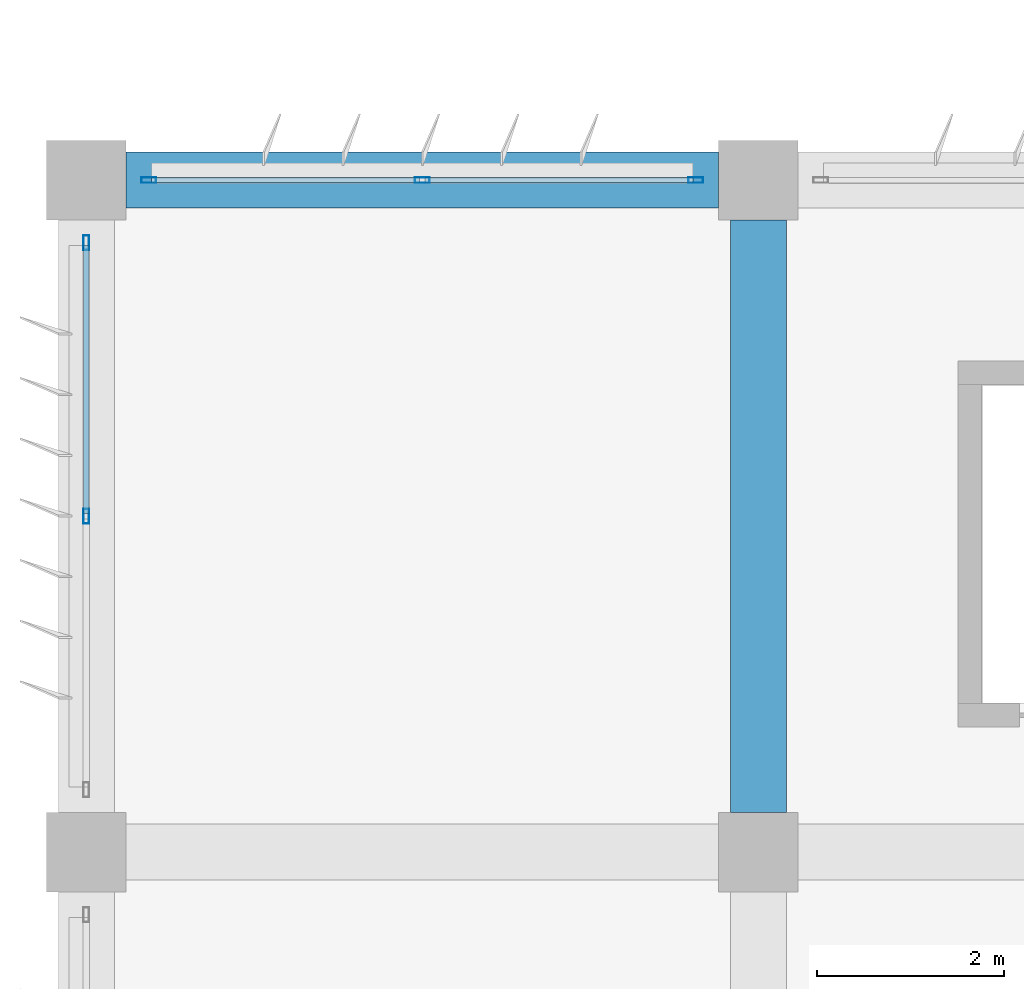
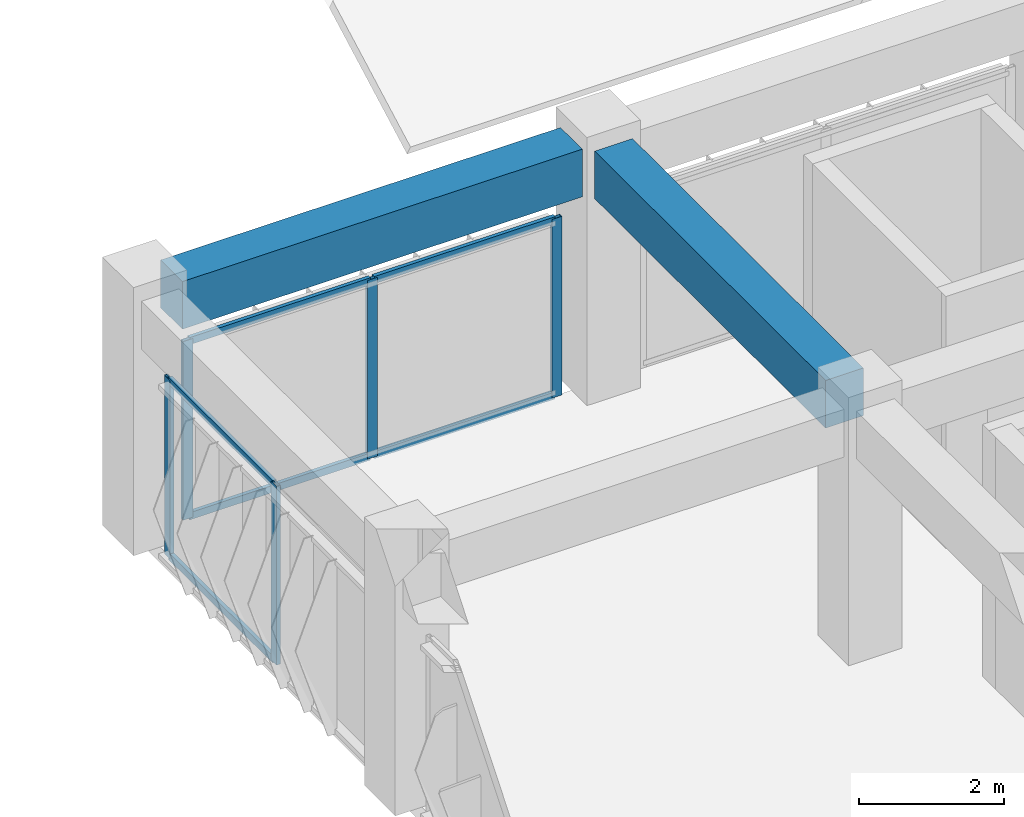
# One storey, part 11 of 56: 11 members, 2 beams, 2 elements without a shape of their own.
"""IFC4 building model written with IfcOpenShell, lengths in metres."""

from ifc_helpers import new_model, si_unit, direction, frame, origin, origin_2d, place, context, subcontext, project, spatial, rectangle, hollow_rectangle, extrude, material, material_profile, profile_set, type_object, element, aggregate, save


model = new_model("IFC4")

# Units and contexts
model_context = context("Model", 3, precision=1e-05, world=origin(), true_north=direction((0.0, 1.0)))
body_context = subcontext(model_context, "Body", "Model", "MODEL_VIEW")
ifc_project = project(units=[si_unit("LENGTHUNIT", "METRE"), si_unit("AREAUNIT", "SQUARE_METRE"), si_unit("VOLUMEUNIT", "CUBIC_METRE"), si_unit("PLANEANGLEUNIT", "RADIAN"), si_unit("MASSUNIT", "GRAM", prefix="KILO")], contexts=[model_context])

# Site, building, storey
site_placement = place(None, origin())
site = spatial("IfcSite", under=ifc_project, at=site_placement, CompositionType="ELEMENT")
building_placement = place(site_placement, origin())
building = spatial("IfcBuilding", under=site, at=building_placement, Name="Kazehaya Institute of Natural Sciences", CompositionType="ELEMENT")
storey_placement = place(building_placement, frame((0.0, 0.0, 24.300048828125)))
storey = spatial("IfcBuildingStorey", under=building, at=storey_placement, Name="L05", CompositionType="ELEMENT", Elevation=24.300048828125)

# Beams
ifc_material_1 = material(Name="Concrete Fc36", Category="concrete")
ifc_material_profile_1 = material_profile(ifc_material_1, rectangle(XDim=0.60009765625, YDim=0.800048828125, at=origin_2d()), Name="RC-600x800")
ifc_profile_set_1 = profile_set([ifc_material_profile_1], Name="Concrete Fc36")
beam_type = type_object("IfcBeamType", Name="BM-G-600x800", PredefinedType="BEAM", material=ifc_profile_set_1)
for number, where, z_axis, x_axis, name in (
    (1, (55.02490234375, 35.60009765625, 3.829833984375), (1.0, 0.0, 0.0), (0.0, 1.0, 0.0), "L05 primary X girder BMX-L05-546-356"),
    (2, (61.800048828125, 28.824951171875, 3.829833984375), (0.0, 1.0, 0.0), (-1.0, 0.0, 0.0), "L05 primary Y girder BMY-L05-618-284"),
):
    element("IfcBeam", number, at=place(storey_placement, frame(where, z_axis=z_axis, x_axis=x_axis)), inside=storey, type_object=beam_type, Name=name, PredefinedType="BEAM", context=body_context, shape_type="SweptSolid", body=[
        extrude(rectangle(XDim=0.60009765625, YDim=0.800048828125, at=origin_2d()), origin(), (0.0, 0.0, 1.0), 6.35009765625),
    ])

# Curtain wall, members
ifc_material_2 = material(Name="Aluminium alloy A6063S-T5", Category="aluminium")
curtain_wall_type_1 = type_object("IfcCurtainWallType", Name="CW-SYS-04", PredefinedType="NOTDEFINED", material=ifc_material_2)
curtain_wall_1_placement = place(storey_placement, origin())
curtain_wall_1 = element("IfcCurtainWall", 3, at=curtain_wall_1_placement, inside=storey, type_object=curtain_wall_type_1, Name="L05 unitised curtain wall CW-L05-103", PredefinedType="NOTDEFINED")
ifc_material_profile_2 = material_profile(ifc_material_2, hollow_rectangle(XDim=0.06005859375, YDim=0.159912109375, WallThickness=0.00390625, at=origin_2d()), Name="ALU-60x160x4")
ifc_profile_set_2 = profile_set([ifc_material_profile_2], Name="Aluminium alloy A6063S-T5")
member_type_1 = type_object("IfcMemberType", Name="CWM-160", PredefinedType="MULLION", material=ifc_profile_set_2)
member_1_placement = place(storey_placement, frame((55.27001953125, 35.60009765625, 0.0), z_axis=(0.0, 0.0, 1.0), x_axis=(0.0, 1.0, 0.0)))
member_1 = element("IfcMember", 4, at=member_1_placement, type_object=member_type_1, Name="CW04 mullion 1", PredefinedType="MULLION", context=body_context, shape_type="SweptSolid", body=[
    extrude(hollow_rectangle(XDim=0.06005859375, YDim=0.159912109375, WallThickness=0.00390625, at=origin_2d()), origin(), (0.0, 0.0, 1.0), 3.0),
])
member_2_placement = place(storey_placement, frame((58.199951171875, 35.60009765625, 0.0), z_axis=(0.0, 0.0, 1.0), x_axis=(0.0, 1.0, 0.0)))
member_2 = element("IfcMember", 5, at=member_2_placement, type_object=member_type_1, Name="CW04 mullion 2", PredefinedType="MULLION", context=body_context, shape_type="SweptSolid", body=[
    extrude(hollow_rectangle(XDim=0.06005859375, YDim=0.159912109375, WallThickness=0.00390625, at=origin_2d()), origin(), (0.0, 0.0, 1.0), 3.0),
])
member_3_placement = place(storey_placement, frame((61.1298828125, 35.60009765625, 0.0), z_axis=(0.0, 0.0, 1.0), x_axis=(0.0, 1.0, 0.0)))
member_3 = element("IfcMember", 6, at=member_3_placement, type_object=member_type_1, Name="CW04 mullion 3", PredefinedType="MULLION", context=body_context, shape_type="SweptSolid", body=[
    extrude(hollow_rectangle(XDim=0.06005859375, YDim=0.159912109375, WallThickness=0.00390625, at=origin_2d()), origin(), (0.0, 0.0, 1.0), 3.0),
])

curtain_wall_type_2 = type_object("IfcCurtainWallType", Name="CW-SYS-10", PredefinedType="NOTDEFINED", material=ifc_material_2)
curtain_wall_2_placement = place(storey_placement, origin())
curtain_wall_2 = element("IfcCurtainWall", 7, at=curtain_wall_2_placement, inside=storey, type_object=curtain_wall_type_2, Name="L05 unitised curtain wall CW-L05-118", PredefinedType="NOTDEFINED")
member_4_placement = place(storey_placement, frame((54.60009765625, 32.0, 0.0), z_axis=(0.0, 0.0, 1.0), x_axis=(-1.0, 0.0, 0.0)))
member_4 = element("IfcMember", 8, at=member_4_placement, type_object=member_type_1, Name="CW10 mullion 2", PredefinedType="MULLION", context=body_context, shape_type="SweptSolid", body=[
    extrude(hollow_rectangle(XDim=0.06005859375, YDim=0.159912109375, WallThickness=0.00390625, at=origin_2d()), origin(), (0.0, 0.0, 1.0), 3.0),
])
member_5_placement = place(storey_placement, frame((54.60009765625, 34.929931640625, 0.0), z_axis=(0.0, 0.0, 1.0), x_axis=(-1.0, 0.0, 0.0)))
member_5 = element("IfcMember", 9, at=member_5_placement, type_object=member_type_1, Name="CW10 mullion 3", PredefinedType="MULLION", context=body_context, shape_type="SweptSolid", body=[
    extrude(hollow_rectangle(XDim=0.06005859375, YDim=0.159912109375, WallThickness=0.00390625, at=origin_2d()), origin(), (0.0, 0.0, 1.0), 3.0),
])

# Member
ifc_material_profile_3 = material_profile(ifc_material_2, hollow_rectangle(XDim=0.06005859375, YDim=0.1201171875, WallThickness=0.00341796875, at=origin_2d()), Name="ALU-60x120x3.5")
ifc_profile_set_3 = profile_set([ifc_material_profile_3], Name="Aluminium alloy A6063S-T5")
member_type_2 = type_object("IfcMemberType", Name="CWT-120", PredefinedType="USERDEFINED", material=ifc_profile_set_3)
member_6_placement = place(storey_placement, frame((55.300048828125, 35.60009765625, 0.030029296875), z_axis=(1.0, 0.0, 0.0), x_axis=(0.0, 1.0, 0.0)))
member_6 = element("IfcMember", 10, at=member_6_placement, type_object=member_type_2, Name="CW04 transom 1.1", ObjectType="TRANSOM", PredefinedType="USERDEFINED", context=body_context, shape_type="SweptSolid", body=[
    extrude(hollow_rectangle(XDim=0.06005859375, YDim=0.1201171875, WallThickness=0.00341796875, at=origin_2d()), origin(), (0.0, 0.0, 1.0), 2.869873046875),
])

member_7_placement = place(storey_placement, frame((55.300048828125, 35.60009765625, 2.969970703125), z_axis=(1.0, 0.0, 0.0), x_axis=(0.0, 1.0, 0.0)))
member_7 = element("IfcMember", 11, at=member_7_placement, type_object=member_type_2, Name="CW04 transom 1.2", ObjectType="TRANSOM", PredefinedType="USERDEFINED", context=body_context, shape_type="SweptSolid", body=[
    extrude(hollow_rectangle(XDim=0.06005859375, YDim=0.1201171875, WallThickness=0.00341796875, at=origin_2d()), origin(), (0.0, 0.0, 1.0), 2.869873046875),
])

member_8_placement = place(storey_placement, frame((58.22998046875, 35.60009765625, 0.030029296875), z_axis=(1.0, 0.0, 0.0), x_axis=(0.0, 1.0, 0.0)))
member_8 = element("IfcMember", 12, at=member_8_placement, type_object=member_type_2, Name="CW04 transom 2.1", ObjectType="TRANSOM", PredefinedType="USERDEFINED", context=body_context, shape_type="SweptSolid", body=[
    extrude(hollow_rectangle(XDim=0.06005859375, YDim=0.1201171875, WallThickness=0.00341796875, at=origin_2d()), origin(), (0.0, 0.0, 1.0), 2.8701171875),
])

member_9_placement = place(storey_placement, frame((58.22998046875, 35.60009765625, 2.969970703125), z_axis=(1.0, 0.0, 0.0), x_axis=(0.0, 1.0, 0.0)))
member_9 = element("IfcMember", 13, at=member_9_placement, type_object=member_type_2, Name="CW04 transom 2.2", ObjectType="TRANSOM", PredefinedType="USERDEFINED", context=body_context, shape_type="SweptSolid", body=[
    extrude(hollow_rectangle(XDim=0.06005859375, YDim=0.1201171875, WallThickness=0.00341796875, at=origin_2d()), origin(), (0.0, 0.0, 1.0), 2.8701171875),
])

aggregate(curtain_wall_1, [member_1, member_2, member_3, member_6, member_7, member_8, member_9])

member_10_placement = place(storey_placement, frame((54.60009765625, 32.030029296875, 0.030029296875), z_axis=(0.0, 1.0, 0.0), x_axis=(-1.0, 0.0, 0.0)))
member_10 = element("IfcMember", 14, at=member_10_placement, type_object=member_type_2, Name="CW10 transom 2.1", ObjectType="TRANSOM", PredefinedType="USERDEFINED", context=body_context, shape_type="SweptSolid", body=[
    extrude(hollow_rectangle(XDim=0.06005859375, YDim=0.1201171875, WallThickness=0.00341796875, at=origin_2d()), origin(), (0.0, 0.0, 1.0), 2.869873046875),
])

member_11_placement = place(storey_placement, frame((54.60009765625, 32.030029296875, 2.969970703125), z_axis=(0.0, 1.0, 0.0), x_axis=(-1.0, 0.0, 0.0)))
member_11 = element("IfcMember", 15, at=member_11_placement, type_object=member_type_2, Name="CW10 transom 2.2", ObjectType="TRANSOM", PredefinedType="USERDEFINED", context=body_context, shape_type="SweptSolid", body=[
    extrude(hollow_rectangle(XDim=0.06005859375, YDim=0.1201171875, WallThickness=0.00341796875, at=origin_2d()), origin(), (0.0, 0.0, 1.0), 2.869873046875),
])

aggregate(curtain_wall_2, [member_4, member_5, member_10, member_11])

save(model, "model.ifc")
